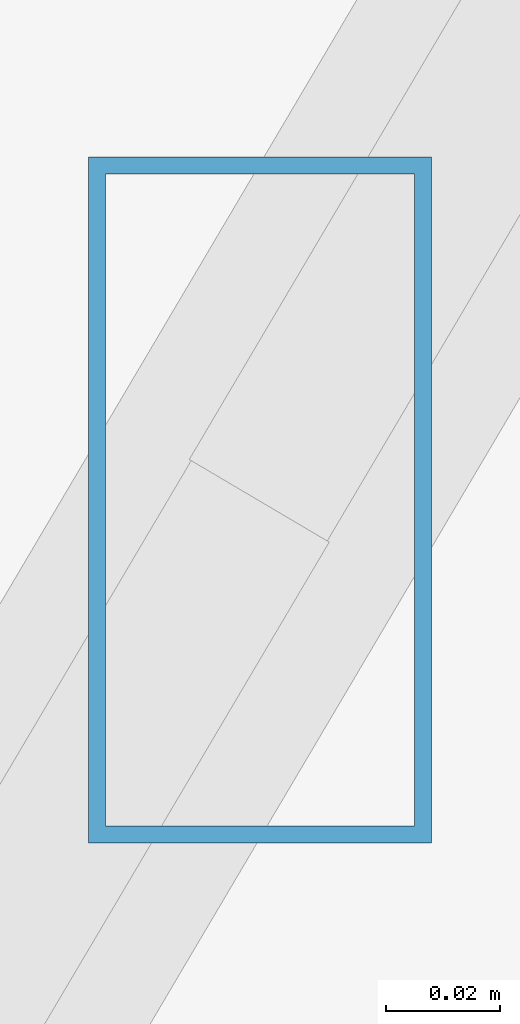
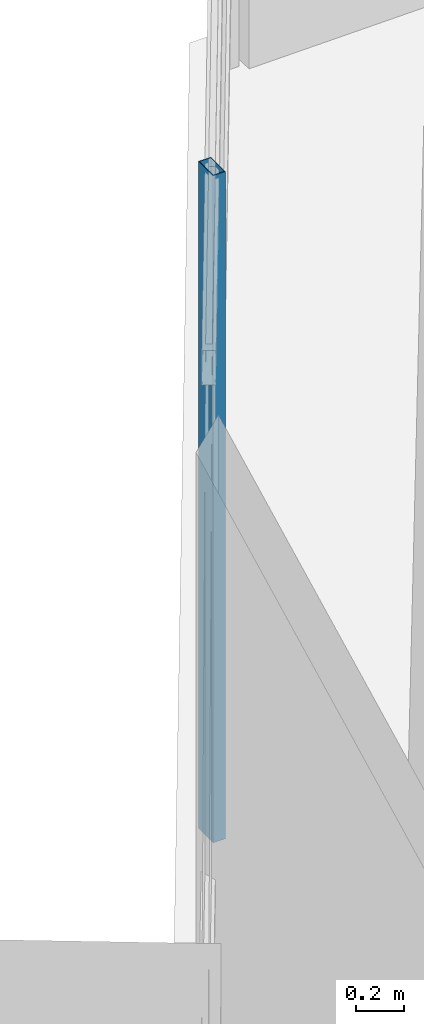
# One storey, part 34 of 45: 1 member, 1 element without a shape of its own.
"""IFC4 building model written with IfcOpenShell, lengths in metres."""

from ifc_helpers import new_model, si_unit, direction, frame, origin, origin_2d, place, context, subcontext, project, spatial, hollow_rectangle, extrude, source, transform, mapped, material, material_profile, profile_set, type_object, type_shapes, element, aggregate, save


model = new_model("IFC4")

# Units and contexts
model_context = context("Model", 3, precision=1e-05, world=origin(), true_north=direction((0.0, 1.0)))
body_context = subcontext(model_context, "Body", "Model", "MODEL_VIEW")
ifc_project = project(units=[si_unit("LENGTHUNIT", "METRE"), si_unit("AREAUNIT", "SQUARE_METRE"), si_unit("VOLUMEUNIT", "CUBIC_METRE"), si_unit("PLANEANGLEUNIT", "RADIAN"), si_unit("MASSUNIT", "GRAM", prefix="KILO")], contexts=[model_context])

# Site, building, storey
site_placement = place(None, origin())
site = spatial("IfcSite", under=ifc_project, at=site_placement, CompositionType="ELEMENT")
building_placement = place(site_placement, origin())
building = spatial("IfcBuilding", under=site, at=building_placement, Name="Caelisora Broadcast Tower", CompositionType="ELEMENT")
storey_placement = place(building_placement, frame((0.0, 0.0, 266.35009765625)))
storey = spatial("IfcBuildingStorey", under=building, at=storey_placement, Name="L70", CompositionType="ELEMENT", Elevation=266.35009765625)

# Curtain wall, member
ifc_material_1 = material(Name="Unitised Aluminium and Low-E Glass Curtain Wall", Category="glass")
curtain_wall_type = type_object("IfcCurtainWallType", Name="CW-Z5", PredefinedType="NOTDEFINED", material=ifc_material_1)
curtain_wall_placement = place(storey_placement, origin())
curtain_wall = element("IfcCurtainWall", 1, at=curtain_wall_placement, inside=storey, type_object=curtain_wall_type, Name="L70 curtain wall CW-Z5", PredefinedType="NOTDEFINED")
ifc_material_2 = material(Name="Aluminium 6063-T6 Anodised Terracotta Bronze", Category="aluminium")
ifc_material_profile = material_profile(ifc_material_2, hollow_rectangle(XDim=0.06005859375, YDim=0.1201171875, WallThickness=0.0029296875, at=origin_2d()), Name="Aluminium 6063-T6 Anodised Terracotta Bronze")
ifc_profile_set = profile_set([ifc_material_profile], Name="Aluminium 6063-T6 Anodised Terracotta Bronze")
member_type = type_object("IfcMemberType", Name="CWM-04", PredefinedType="MULLION", material=ifc_profile_set)
shared_shape = source(origin(), body_context, "Body", "SweptSolid", [
    extrude(hollow_rectangle(XDim=0.06005859375, YDim=0.1201171875, WallThickness=0.0029296875, at=origin_2d()), origin(), (0.0, 0.0, 1.0), 3.39990234375),
])
type_shapes(member_type, [shared_shape])
member_placement = place(storey_placement, frame((33.364013671875, 47.439453125, 0.0), z_axis=(0.0, 0.0, 1.0), x_axis=(1.0, 0.0, 0.0)))
member = element("IfcMember", 2, at=member_placement, type_object=member_type, Name="L70-CW-B11 mullion #2", PredefinedType="MULLION", context=body_context, shape_type="MappedRepresentation", body=[
    mapped(shared_shape, transform((0.0, 0.0, 0.0), scale=1.0)),
])
aggregate(curtain_wall, [member])

save(model, "model.ifc")
